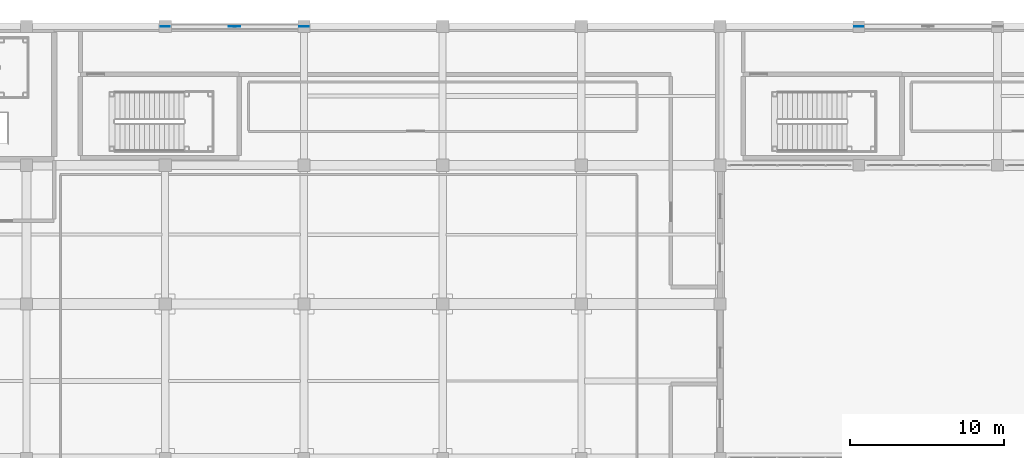
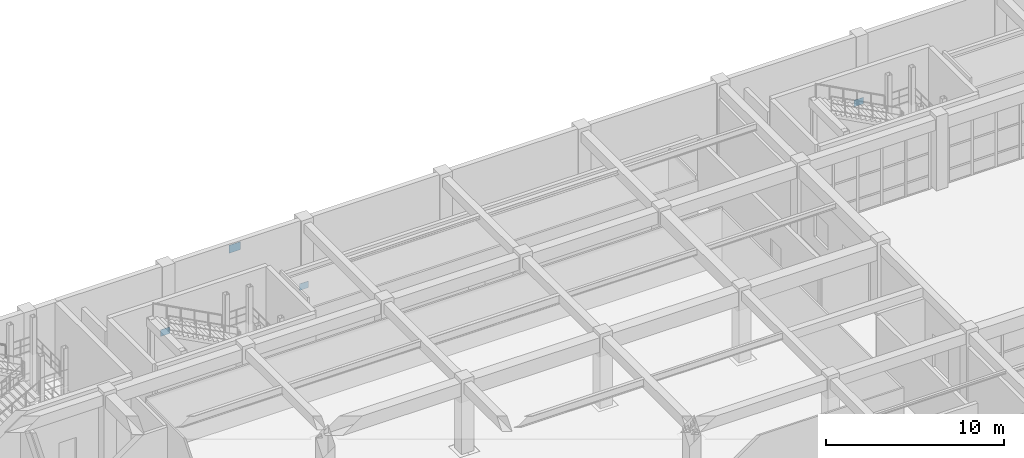
# One storey, part 97 of 128: 4 plates.
"""IFC4 building model written with IfcOpenShell, lengths in metres."""

from ifc_helpers import new_model, si_unit, direction, frame, origin, origin_2d, place, context, subcontext, project, spatial, rectangle, extrude, material, layer, layer_set, type_object, element, save


model = new_model("IFC4")

# Units and contexts
model_context = context("Model", 3, precision=1e-05, world=origin(), true_north=direction((0.0, 1.0)))
body_context = subcontext(model_context, "Body", "Model", "MODEL_VIEW")
ifc_project = project(units=[si_unit("LENGTHUNIT", "METRE"), si_unit("AREAUNIT", "SQUARE_METRE"), si_unit("VOLUMEUNIT", "CUBIC_METRE"), si_unit("PLANEANGLEUNIT", "RADIAN"), si_unit("MASSUNIT", "GRAM", prefix="KILO")], contexts=[model_context])

# Site, building, storey
site_placement = place(None, origin())
site = spatial("IfcSite", under=ifc_project, at=site_placement, CompositionType="ELEMENT")
building_placement = place(site_placement, origin())
building = spatial("IfcBuilding", under=site, at=building_placement, Name="Miravela Opera House", CompositionType="ELEMENT")
storey_placement = place(building_placement, origin())
storey = spatial("IfcBuildingStorey", under=building, at=storey_placement, Name="L00", CompositionType="ELEMENT", Elevation=0.0)

# Plates
ifc_material = material(Name="Structural steel ASTM A572 Gr. 50", Category="steel")
ifc_layer_1 = layer(ifc_material, 0.01806640625)
ifc_layer_set_1 = layer_set([ifc_layer_1])
plate_type_1 = type_object("IfcPlateType", Name="STR-PL-GUS-600X450X18", PredefinedType="USERDEFINED", material=ifc_layer_set_1)
for number, where, z_axis, x_axis, name in (
    (1, (81.0, 112.0, 0.0751953125), (0.0, 0.0, 1.0), (1.0, 0.0, 0.0), "Brace Wall Cast-In Embed Plate 334"),
    (2, (90.0, 112.0, 0.0751953125), (0.0, 0.0, 1.0), (1.0, 0.0, 0.0), "Brace Wall Cast-In Embed Plate 335"),
    (3, (126.0, 112.0, 0.0751953125), (0.0, 0.0, 1.0), (1.0, 0.0, 0.0), "Brace Wall Cast-In Embed Plate 346"),
):
    element("IfcPlate", number, at=place(storey_placement, frame(where, z_axis=z_axis, x_axis=x_axis)), inside=storey, type_object=plate_type_1, Name=name, ObjectType="GUSSET PLATE", PredefinedType="USERDEFINED", context=body_context, shape_type="SweptSolid", body=[
        extrude(rectangle(XDim=0.60009765625, YDim=0.01806640625, at=origin_2d()), origin(), (0.0, 0.0, 1.0), 0.449951171875),
    ])
ifc_layer_2 = layer(ifc_material, 0.02001953125)
ifc_layer_set_2 = layer_set([ifc_layer_2])
plate_type_2 = type_object("IfcPlateType", Name="STR-PL-GUS-750X550X20", PredefinedType="USERDEFINED", material=ifc_layer_set_2)
plate_placement = place(storey_placement, frame((85.5, 112.0, 4.22509765625), z_axis=(0.0, 0.0, 1.0), x_axis=(1.0, 0.0, 0.0)))
element("IfcPlate", 4, at=plate_placement, inside=storey, type_object=plate_type_2, Name="Chevron Brace Apex Gusset Plate 333", ObjectType="GUSSET PLATE", PredefinedType="USERDEFINED", context=body_context, shape_type="SweptSolid", body=[
    extrude(rectangle(XDim=0.75, YDim=0.02001953125, at=origin_2d()), origin(), (0.0, 0.0, 1.0), 0.550048828125),
])

save(model, "model.ifc")
